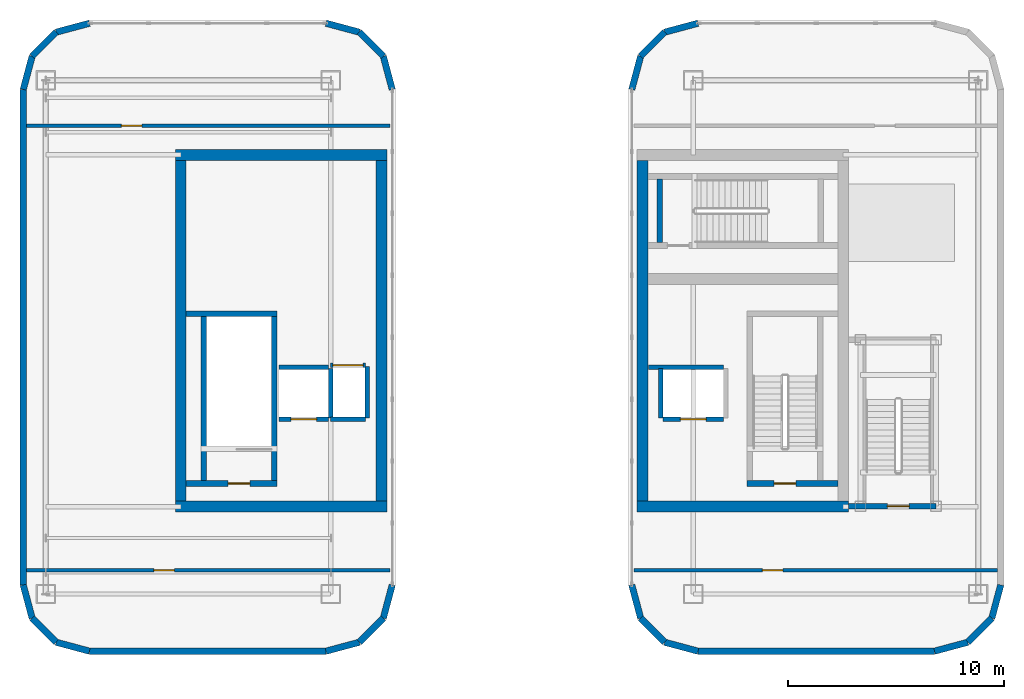
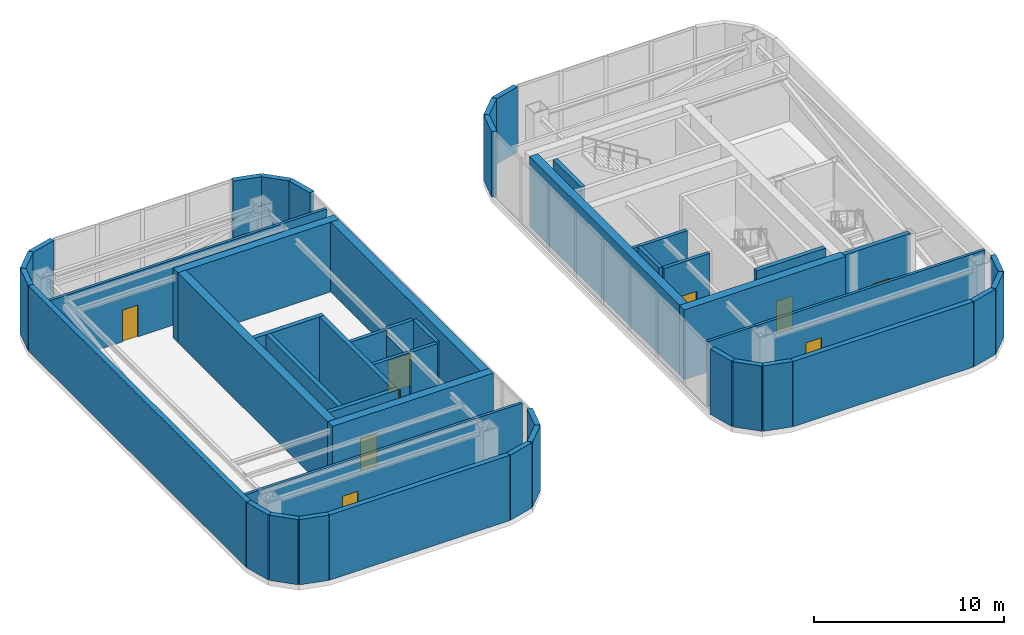
# One storey, part 11 of 13: 49 walls, 9 doors, 9 openings.
"""IFC4 building model written with IfcOpenShell, lengths in metres."""

from ifc_helpers import new_model, si_unit, direction, frame, frame_2d, origin, place, context, subcontext, project, spatial, rectangle, extrude, material, layer, layer_set, type_object, element, fill, save


model = new_model("IFC4")

# Units and contexts
model_context = context("Model", 3, precision=1e-05, world=origin(), true_north=direction((0.0, 1.0)))
body_context = subcontext(model_context, "Body", "Model", "MODEL_VIEW")
ifc_project = project(units=[si_unit("LENGTHUNIT", "METRE"), si_unit("AREAUNIT", "SQUARE_METRE"), si_unit("VOLUMEUNIT", "CUBIC_METRE"), si_unit("PLANEANGLEUNIT", "RADIAN"), si_unit("MASSUNIT", "GRAM", prefix="KILO")], contexts=[model_context])

# Site, building, storey
site_placement = place(None, origin())
site = spatial("IfcSite", under=ifc_project, at=site_placement, CompositionType="ELEMENT")
building_placement = place(site_placement, origin())
building = spatial("IfcBuilding", under=site, at=building_placement, Name="Kiyonajd Concourse Tower", CompositionType="ELEMENT")
storey_placement = place(building_placement, frame((0.0, 0.0, 363.89990234375)))
storey = spatial("IfcBuildingStorey", under=building, at=storey_placement, Name="L91", CompositionType="ELEMENT", Elevation=363.89990234375)

# Walls
ifc_material_1 = material(Name="Concrete C60/75", Category="concrete")
ifc_layer_1 = layer(ifc_material_1, 0.5)
ifc_layer_set_1 = layer_set([ifc_layer_1], Name="Concrete C60/75")
wall_type_1 = type_object("IfcWallType", Name="WL-CORE-500", PredefinedType="SHEAR", material=ifc_layer_set_1)
for number, where, z_axis, x_axis, name in (
    (1, (32.64990234375, 28.10009765625, 0.0), (0.0, 0.0, 1.0), (0.0, 1.0, 0.0), "L91 West Crown Outer Core Wall"),
    (2, (41.949951171875, 28.10009765625, 0.0), (0.0, 0.0, 1.0), (0.0, 1.0, 0.0), "L91 West Crown Inner Core Wall"),
):
    element("IfcWall", number, at=place(storey_placement, frame(where, z_axis=z_axis, x_axis=x_axis)), inside=storey, type_object=wall_type_1, Name=name, PredefinedType="SHEAR", context=body_context, shape_type="SweptSolid", body=[
        extrude(rectangle(XDim=15.7998046875, YDim=0.5, at=frame_2d((7.89990234375, 0.0))), origin(), (0.0, 0.0, 1.0), 4.5),
    ])
for number, where, z_axis, x_axis, name in (
    (3, (32.39990234375, 27.85009765625, 0.0), (0.0, 0.0, 1.0), (1.0, 0.0, 0.0), "L91 West Crown South Core Wall"),
    (4, (32.39990234375, 44.14990234375, 0.0), (0.0, 0.0, 1.0), (1.0, 0.0, 0.0), "L91 West Crown North Core Wall"),
):
    element("IfcWall", number, at=place(storey_placement, frame(where, z_axis=z_axis, x_axis=x_axis)), inside=storey, type_object=wall_type_1, Name=name, PredefinedType="SHEAR", context=body_context, shape_type="SweptSolid", body=[
        extrude(rectangle(XDim=9.800048828125, YDim=0.5, at=frame_2d((4.89990234375, 0.0))), origin(), (0.0, 0.0, 1.0), 4.5),
    ])
wall_1_placement = place(storey_placement, frame((54.050048828125, 28.10009765625, 0.0), z_axis=(0.0, 0.0, 1.0), x_axis=(0.0, 1.0, 0.0)))
element("IfcWall", 5, at=wall_1_placement, inside=storey, type_object=wall_type_1, Name="L91 East Crown Inner Core Wall", PredefinedType="SHEAR", context=body_context, shape_type="SweptSolid", body=[
    extrude(rectangle(XDim=15.7998046875, YDim=0.5, at=frame_2d((7.89990234375, 0.0))), origin(), (0.0, 0.0, 1.0), 4.5),
])
wall_2_placement = place(storey_placement, frame((53.800048828125, 27.85009765625, 0.0), z_axis=(0.0, 0.0, 1.0), x_axis=(1.0, 0.0, 0.0)))
element("IfcWall", 6, at=wall_2_placement, inside=storey, type_object=wall_type_1, Name="L91 East Crown South Core Wall", PredefinedType="SHEAR", context=body_context, shape_type="SweptSolid", body=[
    extrude(rectangle(XDim=9.800048828125, YDim=0.5, at=frame_2d((4.89990234375, 0.0))), origin(), (0.0, 0.0, 1.0), 4.5),
])
ifc_material_2 = material(Name="Precast concrete C50/60", Category="concrete")
ifc_layer_2 = layer(ifc_material_2, 0.300048828125)
ifc_layer_set_2 = layer_set([ifc_layer_2], Name="Precast concrete C50/60")
wall_type_2 = type_object("IfcWallType", Name="WL-CRN-300", PredefinedType="SOLIDWALL", material=ifc_layer_set_2)
wall_3_placement = place(storey_placement, frame((25.35009765625, 24.2197265625, 0.0), z_axis=(0.0, 0.0, 1.0), x_axis=(0.0, 1.0, 0.0)))
element("IfcWall", 7, at=wall_3_placement, inside=storey, type_object=wall_type_2, Name="L91 W Crown Enclosure Wall 01", PredefinedType="SOLIDWALL", context=body_context, shape_type="SweptSolid", body=[
    extrude(rectangle(XDim=22.96044921875, YDim=0.300048828125, at=frame_2d((11.480224609375, 0.0))), origin(), (0.0, 0.0, 1.0), 4.2001953125),
])
wall_4_placement = place(storey_placement, frame((25.35009765625, 47.18017578125, 0.0), z_axis=(0.0, 0.0, 1.0), x_axis=(0.258871110129, 0.965911874003, 0.0)))
element("IfcWall", 8, at=wall_4_placement, inside=storey, type_object=wall_type_2, Name="L91 W Crown Enclosure Wall 02", PredefinedType="SOLIDWALL", context=body_context, shape_type="SweptSolid", body=[
    extrude(rectangle(XDim=1.5966796875, YDim=0.300048828125, at=frame_2d((0.79833984375, 0.0))), origin(), (0.0, 0.0, 1.0), 4.2001953125),
])
wall_5_placement = place(storey_placement, frame((25.763427734375, 48.722412109375, 0.0), z_axis=(0.0, 0.0, 1.0), x_axis=(0.707184251115, 0.707029302769, 0.0)))
element("IfcWall", 9, at=wall_5_placement, inside=storey, type_object=wall_type_2, Name="L91 W Crown Enclosure Wall 03", PredefinedType="SOLIDWALL", context=body_context, shape_type="SweptSolid", body=[
    extrude(rectangle(XDim=1.57568359375, YDim=0.300048828125, at=frame_2d((0.787841796875, 0.0))), origin(), (0.0, 0.0, 1.0), 4.2001953125),
])
for number, where, z_axis, x_axis, name in (
    (10, (26.877685546875, 49.83642578125, 0.0), (0.0, 0.0, 1.0), (0.96587363116, 0.259013761467, 0.0), "L91 W Crown Enclosure Wall 04"),
    (11, (39.380126953125, 50.25, 0.0), (0.0, 0.0, 1.0), (0.96587363116, -0.259013761467, 0.0), "L91 W Crown Enclosure Wall 06"),
):
    element("IfcWall", number, at=place(storey_placement, frame(where, z_axis=z_axis, x_axis=x_axis)), inside=storey, type_object=wall_type_2, Name=name, PredefinedType="SOLIDWALL", context=body_context, shape_type="SweptSolid", body=[
        extrude(rectangle(XDim=1.5966796875, YDim=0.300048828125, at=frame_2d((0.79833984375, 0.0))), origin(), (0.0, 0.0, 1.0), 4.2001953125),
    ])
wall_6_placement = place(storey_placement, frame((40.92236328125, 49.83642578125, 0.0), z_axis=(0.0, 0.0, 1.0), x_axis=(0.707184251115, -0.707029302769, 0.0)))
element("IfcWall", 12, at=wall_6_placement, inside=storey, type_object=wall_type_2, Name="L91 W Crown Enclosure Wall 07", PredefinedType="SOLIDWALL", context=body_context, shape_type="SweptSolid", body=[
    extrude(rectangle(XDim=1.57568359375, YDim=0.300048828125, at=frame_2d((0.787841796875, 0.0))), origin(), (0.0, 0.0, 1.0), 4.2001953125),
])
wall_7_placement = place(storey_placement, frame((42.03662109375, 48.722412109375, 0.0), z_axis=(0.0, 0.0, 1.0), x_axis=(0.258871110129, -0.965911874003, 0.0)))
element("IfcWall", 13, at=wall_7_placement, inside=storey, type_object=wall_type_2, Name="L91 W Crown Enclosure Wall 08", PredefinedType="SOLIDWALL", context=body_context, shape_type="SweptSolid", body=[
    extrude(rectangle(XDim=1.5966796875, YDim=0.300048828125, at=frame_2d((0.79833984375, 0.0))), origin(), (0.0, 0.0, 1.0), 4.2001953125),
])
wall_8_placement = place(storey_placement, frame((42.449951171875, 24.2197265625, 0.0), z_axis=(0.0, 0.0, 1.0), x_axis=(-0.258909349397, -0.965901624802, 0.0)))
element("IfcWall", 14, at=wall_8_placement, inside=storey, type_object=wall_type_2, Name="L91 W Crown Enclosure Wall 10", PredefinedType="SOLIDWALL", context=body_context, shape_type="SweptSolid", body=[
    extrude(rectangle(XDim=1.596435546875, YDim=0.300048828125, at=frame_2d((0.79833984375, 0.0))), origin(), (0.0, 0.0, 1.0), 4.2001953125),
])
wall_9_placement = place(storey_placement, frame((42.03662109375, 22.677734375, 0.0), z_axis=(0.0, 0.0, 1.0), x_axis=(-0.707106781187, -0.707106781187, 0.0)))
element("IfcWall", 15, at=wall_9_placement, inside=storey, type_object=wall_type_2, Name="L91 W Crown Enclosure Wall 11", PredefinedType="SOLIDWALL", context=body_context, shape_type="SweptSolid", body=[
    extrude(rectangle(XDim=1.57568359375, YDim=0.300048828125, at=frame_2d((0.787841796875, 0.0))), origin(), (0.0, 0.0, 1.0), 4.2001953125),
])
wall_10_placement = place(storey_placement, frame((40.92236328125, 21.5634765625, 0.0), z_axis=(0.0, 0.0, 1.0), x_axis=(-0.96587363116, -0.259013761467, 0.0)))
element("IfcWall", 16, at=wall_10_placement, inside=storey, type_object=wall_type_2, Name="L91 W Crown Enclosure Wall 12", PredefinedType="SOLIDWALL", context=body_context, shape_type="SweptSolid", body=[
    extrude(rectangle(XDim=1.5966796875, YDim=0.300048828125, at=frame_2d((0.79833984375, 0.0))), origin(), (0.0, 0.0, 1.0), 4.2001953125),
])
wall_11_placement = place(storey_placement, frame((39.380126953125, 21.14990234375, 0.0), z_axis=(0.0, 0.0, 1.0), x_axis=(-1.0, 0.0, 0.0)))
element("IfcWall", 17, at=wall_11_placement, inside=storey, type_object=wall_type_2, Name="L91 W Crown Enclosure Wall 13", PredefinedType="SOLIDWALL", context=body_context, shape_type="SweptSolid", body=[
    extrude(rectangle(XDim=10.960205078125, YDim=0.300048828125, at=frame_2d((5.47998046875, 0.0))), origin(), (0.0, 0.0, 1.0), 4.2001953125),
])
wall_12_placement = place(storey_placement, frame((28.419921875, 21.14990234375, 0.0), z_axis=(0.0, 0.0, 1.0), x_axis=(-0.96587363116, 0.259013761467, 0.0)))
element("IfcWall", 18, at=wall_12_placement, inside=storey, type_object=wall_type_2, Name="L91 W Crown Enclosure Wall 14", PredefinedType="SOLIDWALL", context=body_context, shape_type="SweptSolid", body=[
    extrude(rectangle(XDim=1.5966796875, YDim=0.300048828125, at=frame_2d((0.79833984375, 0.0))), origin(), (0.0, 0.0, 1.0), 4.2001953125),
])
wall_13_placement = place(storey_placement, frame((26.877685546875, 21.5634765625, 0.0), z_axis=(0.0, 0.0, 1.0), x_axis=(-0.707106781187, 0.707106781187, 0.0)))
element("IfcWall", 19, at=wall_13_placement, inside=storey, type_object=wall_type_2, Name="L91 W Crown Enclosure Wall 15", PredefinedType="SOLIDWALL", context=body_context, shape_type="SweptSolid", body=[
    extrude(rectangle(XDim=1.57568359375, YDim=0.300048828125, at=frame_2d((0.787841796875, 0.0))), origin(), (0.0, 0.0, 1.0), 4.2001953125),
])
wall_14_placement = place(storey_placement, frame((25.763427734375, 22.677734375, 0.0), z_axis=(0.0, 0.0, 1.0), x_axis=(-0.258909349397, 0.965901624802, 0.0)))
element("IfcWall", 20, at=wall_14_placement, inside=storey, type_object=wall_type_2, Name="L91 W Crown Enclosure Wall 16", PredefinedType="SOLIDWALL", context=body_context, shape_type="SweptSolid", body=[
    extrude(rectangle(XDim=1.596435546875, YDim=0.300048828125, at=frame_2d((0.79833984375, 0.0))), origin(), (0.0, 0.0, 1.0), 4.2001953125),
])
wall_15_placement = place(storey_placement, frame((53.550048828125, 47.18017578125, 0.0), z_axis=(0.0, 0.0, 1.0), x_axis=(0.258871110129, 0.965911874003, 0.0)))
element("IfcWall", 21, at=wall_15_placement, inside=storey, type_object=wall_type_2, Name="L91 E Crown Enclosure Wall 02", PredefinedType="SOLIDWALL", context=body_context, shape_type="SweptSolid", body=[
    extrude(rectangle(XDim=1.5966796875, YDim=0.300048828125, at=frame_2d((0.79833984375, 0.0))), origin(), (0.0, 0.0, 1.0), 4.2001953125),
])
wall_16_placement = place(storey_placement, frame((53.96337890625, 48.722412109375, 0.0), z_axis=(0.0, 0.0, 1.0), x_axis=(0.707184251115, 0.707029302769, 0.0)))
element("IfcWall", 22, at=wall_16_placement, inside=storey, type_object=wall_type_2, Name="L91 E Crown Enclosure Wall 03", PredefinedType="SOLIDWALL", context=body_context, shape_type="SweptSolid", body=[
    extrude(rectangle(XDim=1.57568359375, YDim=0.300048828125, at=frame_2d((0.787841796875, 0.0))), origin(), (0.0, 0.0, 1.0), 4.2001953125),
])
wall_17_placement = place(storey_placement, frame((55.07763671875, 49.83642578125, 0.0), z_axis=(0.0, 0.0, 1.0), x_axis=(0.96587363116, 0.259013761467, 0.0)))
element("IfcWall", 23, at=wall_17_placement, inside=storey, type_object=wall_type_2, Name="L91 E Crown Enclosure Wall 04", PredefinedType="SOLIDWALL", context=body_context, shape_type="SweptSolid", body=[
    extrude(rectangle(XDim=1.5966796875, YDim=0.300048828125, at=frame_2d((0.79833984375, 0.0))), origin(), (0.0, 0.0, 1.0), 4.2001953125),
])
wall_18_placement = place(storey_placement, frame((70.64990234375, 24.2197265625, 0.0), z_axis=(0.0, 0.0, 1.0), x_axis=(-0.258909349397, -0.965901624802, 0.0)))
element("IfcWall", 24, at=wall_18_placement, inside=storey, type_object=wall_type_2, Name="L91 E Crown Enclosure Wall 10", PredefinedType="SOLIDWALL", context=body_context, shape_type="SweptSolid", body=[
    extrude(rectangle(XDim=1.596435546875, YDim=0.300048828125, at=frame_2d((0.79833984375, 0.0))), origin(), (0.0, 0.0, 1.0), 4.2001953125),
])
wall_19_placement = place(storey_placement, frame((70.236572265625, 22.677734375, 0.0), z_axis=(0.0, 0.0, 1.0), x_axis=(-0.707106781187, -0.707106781187, 0.0)))
element("IfcWall", 25, at=wall_19_placement, inside=storey, type_object=wall_type_2, Name="L91 E Crown Enclosure Wall 11", PredefinedType="SOLIDWALL", context=body_context, shape_type="SweptSolid", body=[
    extrude(rectangle(XDim=1.57568359375, YDim=0.300048828125, at=frame_2d((0.787841796875, 0.0))), origin(), (0.0, 0.0, 1.0), 4.2001953125),
])
wall_20_placement = place(storey_placement, frame((69.122314453125, 21.5634765625, 0.0), z_axis=(0.0, 0.0, 1.0), x_axis=(-0.96587363116, -0.259013761467, 0.0)))
element("IfcWall", 26, at=wall_20_placement, inside=storey, type_object=wall_type_2, Name="L91 E Crown Enclosure Wall 12", PredefinedType="SOLIDWALL", context=body_context, shape_type="SweptSolid", body=[
    extrude(rectangle(XDim=1.5966796875, YDim=0.300048828125, at=frame_2d((0.79833984375, 0.0))), origin(), (0.0, 0.0, 1.0), 4.2001953125),
])
wall_21_placement = place(storey_placement, frame((67.580078125, 21.14990234375, 0.0), z_axis=(0.0, 0.0, 1.0), x_axis=(-1.0, 0.0, 0.0)))
element("IfcWall", 27, at=wall_21_placement, inside=storey, type_object=wall_type_2, Name="L91 E Crown Enclosure Wall 13", PredefinedType="SOLIDWALL", context=body_context, shape_type="SweptSolid", body=[
    extrude(rectangle(XDim=10.960205078125, YDim=0.300048828125, at=frame_2d((5.47998046875, 0.0))), origin(), (0.0, 0.0, 1.0), 4.2001953125),
])
wall_22_placement = place(storey_placement, frame((56.619873046875, 21.14990234375, 0.0), z_axis=(0.0, 0.0, 1.0), x_axis=(-0.96587363116, 0.259013761467, 0.0)))
element("IfcWall", 28, at=wall_22_placement, inside=storey, type_object=wall_type_2, Name="L91 E Crown Enclosure Wall 14", PredefinedType="SOLIDWALL", context=body_context, shape_type="SweptSolid", body=[
    extrude(rectangle(XDim=1.5966796875, YDim=0.300048828125, at=frame_2d((0.79833984375, 0.0))), origin(), (0.0, 0.0, 1.0), 4.2001953125),
])
wall_23_placement = place(storey_placement, frame((55.07763671875, 21.5634765625, 0.0), z_axis=(0.0, 0.0, 1.0), x_axis=(-0.707106781187, 0.707106781187, 0.0)))
element("IfcWall", 29, at=wall_23_placement, inside=storey, type_object=wall_type_2, Name="L91 E Crown Enclosure Wall 15", PredefinedType="SOLIDWALL", context=body_context, shape_type="SweptSolid", body=[
    extrude(rectangle(XDim=1.57568359375, YDim=0.300048828125, at=frame_2d((0.787841796875, 0.0))), origin(), (0.0, 0.0, 1.0), 4.2001953125),
])
wall_24_placement = place(storey_placement, frame((53.96337890625, 22.677734375, 0.0), z_axis=(0.0, 0.0, 1.0), x_axis=(-0.258909349397, 0.965901624802, 0.0)))
element("IfcWall", 30, at=wall_24_placement, inside=storey, type_object=wall_type_2, Name="L91 E Crown Enclosure Wall 16", PredefinedType="SOLIDWALL", context=body_context, shape_type="SweptSolid", body=[
    extrude(rectangle(XDim=1.596435546875, YDim=0.300048828125, at=frame_2d((0.79833984375, 0.0))), origin(), (0.0, 0.0, 1.0), 4.2001953125),
])

# Wall, opening, door
ifc_material_3 = material(Name="Gypsum Board on Cold-Formed Steel Stud", Category="steel")
ifc_layer_3 = layer(ifc_material_3, 0.2099609375)
ifc_layer_set_3 = layer_set([ifc_layer_3], Name="Gypsum Board on Cold-Formed Steel Stud")
wall_type_3 = type_object("IfcWallType", Name="WL-SHAFT-210", PredefinedType="PARTITIONING", material=ifc_layer_set_3)
wall_25_placement = place(storey_placement, frame((37.199951171875, 31.89990234375, 0.0), z_axis=(0.0, 0.0, 1.0), x_axis=(1.0, 0.0, 0.0)))
wall_25 = element("IfcWall", 31, at=wall_25_placement, inside=storey, type_object=wall_type_3, Name="L91 Shaft Enclosure Wall", PredefinedType="PARTITIONING", context=body_context, shape_type="SweptSolid", body=[
    extrude(rectangle(XDim=2.300048828125, YDim=0.2099609375, at=frame_2d((1.14990234375, 0.0))), origin(), (0.0, 0.0, 1.0), 4.2001953125),
])
opening_1_placement = place(wall_25_placement, frame((0.550048828125, 0.0, 0.0)))
opening_1 = element("IfcOpeningElement", 32, at=opening_1_placement, cuts=wall_25, Name="Opening LD2", PredefinedType="OPENING", context=body_context, shape_type="SweptSolid", body=[
    extrude(rectangle(XDim=1.199951171875, YDim=2.0400390625, at=frame_2d((0.60009765625, 1.02001953125))), frame((0.0, 0.114990234375, 0.0), z_axis=(0.0, -1.0, 0.0), x_axis=(1.0, 0.0, 0.0)), (0.0, 0.0, 1.0), 0.22998046875),
])
ifc_material_4 = material(Name="Brushed Stainless Steel Cab Assembly", Category="steel")
door_type_1 = type_object("IfcDoorType", Name="DR-LD-1200", OperationType="DOUBLE_DOOR_SLIDING", PredefinedType="DOOR", material=ifc_material_4)
door_1_placement = place(opening_1_placement, origin())
door_1 = element("IfcDoor", 33, at=door_1_placement, inside=storey, type_object=door_type_1, Name="L91 Lift FFL1 Sliding Landing Door", OperationType="DOUBLE_DOOR_SLIDING", OverallHeight=2.0400390625, OverallWidth=1.199951171875, PredefinedType="DOOR", context=body_context, shape_type="SweptSolid", body=[
    extrude(rectangle(XDim=1.199951171875, YDim=2.0400390625, at=frame_2d((0.60009765625, 1.02001953125))), frame((0.0, 0.02490234375, 0.0), z_axis=(0.0, -1.0, 0.0), x_axis=(1.0, 0.0, 0.0)), (0.0, 0.0, 1.0), 0.050048828125),
])
fill(opening_1, door_1)

# Walls
wall_26_placement = place(storey_placement, frame((37.199951171875, 34.300048828125, 0.0), z_axis=(0.0, 0.0, 1.0), x_axis=(1.0, 0.0, 0.0)))
element("IfcWall", 34, at=wall_26_placement, inside=storey, type_object=wall_type_3, Name="L91 Shaft Enclosure Wall", PredefinedType="PARTITIONING", context=body_context, shape_type="SweptSolid", body=[
    extrude(rectangle(XDim=2.300048828125, YDim=0.2099609375, at=frame_2d((1.14990234375, 0.0))), origin(), (0.0, 0.0, 1.0), 4.2001953125),
])
wall_27_placement = place(storey_placement, frame((39.60009765625, 31.9599609375, 0.0), z_axis=(0.0, 0.0, 1.0), x_axis=(0.0, 1.0, 0.0)))
element("IfcWall", 35, at=wall_27_placement, inside=storey, type_object=wall_type_3, Name="L91 Shaft Enclosure Wall", PredefinedType="PARTITIONING", context=body_context, shape_type="SweptSolid", body=[
    extrude(rectangle(XDim=2.280029296875, YDim=0.2099609375, at=frame_2d((1.14013671875, 0.0))), origin(), (0.0, 0.0, 1.0), 3.879150390625),
])

# Wall, opening, door
wall_28_placement = place(storey_placement, frame((55.0, 31.89990234375, 0.0), z_axis=(0.0, 0.0, 1.0), x_axis=(1.0, 0.0, 0.0)))
wall_28 = element("IfcWall", 36, at=wall_28_placement, inside=storey, type_object=wall_type_3, Name="L91 Shaft Enclosure Wall", PredefinedType="PARTITIONING", context=body_context, shape_type="SweptSolid", body=[
    extrude(rectangle(XDim=2.800048828125, YDim=0.2099609375, at=frame_2d((1.39990234375, 0.0))), origin(), (0.0, 0.0, 1.0), 4.2001953125),
])
opening_2_placement = place(wall_28_placement, frame((0.800048828125, 0.0, 0.0)))
opening_2 = element("IfcOpeningElement", 37, at=opening_2_placement, cuts=wall_28, Name="Opening LD2", PredefinedType="OPENING", context=body_context, shape_type="SweptSolid", body=[
    extrude(rectangle(XDim=1.199951171875, YDim=2.0400390625, at=frame_2d((0.60009765625, 1.02001953125))), frame((0.0, 0.114990234375, 0.0), z_axis=(0.0, -1.0, 0.0), x_axis=(1.0, 0.0, 0.0)), (0.0, 0.0, 1.0), 0.22998046875),
])
door_2_placement = place(opening_2_placement, origin())
door_2 = element("IfcDoor", 38, at=door_2_placement, inside=storey, type_object=door_type_1, Name="L91 Lift FFL2 Sliding Landing Door", OperationType="DOUBLE_DOOR_SLIDING", OverallHeight=2.0400390625, OverallWidth=1.199951171875, PredefinedType="DOOR", context=body_context, shape_type="SweptSolid", body=[
    extrude(rectangle(XDim=1.199951171875, YDim=2.0400390625, at=frame_2d((0.60009765625, 1.02001953125))), frame((0.0, 0.02490234375, 0.0), z_axis=(0.0, -1.0, 0.0), x_axis=(1.0, 0.0, 0.0)), (0.0, 0.0, 1.0), 0.050048828125),
])
fill(opening_2, door_2)

# Walls
wall_29_placement = place(storey_placement, frame((54.320068359375, 34.300048828125, 0.0), z_axis=(0.0, 0.0, 1.0), x_axis=(1.0, 0.0, 0.0)))
element("IfcWall", 39, at=wall_29_placement, inside=storey, type_object=wall_type_3, Name="L91 Shaft Enclosure Wall", PredefinedType="PARTITIONING", context=body_context, shape_type="SweptSolid", body=[
    extrude(rectangle(XDim=3.47998046875, YDim=0.2099609375, at=frame_2d((1.739990234375, 0.0))), origin(), (0.0, 0.0, 1.0), 4.2001953125),
])
wall_30_placement = place(storey_placement, frame((54.89990234375, 31.9599609375, 0.0), z_axis=(0.0, 0.0, 1.0), x_axis=(0.0, 1.0, 0.0)))
element("IfcWall", 40, at=wall_30_placement, inside=storey, type_object=wall_type_3, Name="L91 Shaft Enclosure Wall", PredefinedType="PARTITIONING", context=body_context, shape_type="SweptSolid", body=[
    extrude(rectangle(XDim=2.280029296875, YDim=0.2099609375, at=frame_2d((1.14013671875, 0.0))), origin(), (0.0, 0.0, 1.0), 4.2001953125),
])

# Wall, opening, door
wall_31_placement = place(storey_placement, frame((39.60009765625, 34.39990234375, 0.0), z_axis=(0.0, 0.0, 1.0), x_axis=(1.0, 0.0, 0.0)))
wall_31 = element("IfcWall", 41, at=wall_31_placement, inside=storey, type_object=wall_type_3, Name="L91 Shaft Enclosure Wall", PredefinedType="PARTITIONING", context=body_context, shape_type="SweptSolid", body=[
    extrude(rectangle(XDim=1.599853515625, YDim=0.2099609375, at=frame_2d((0.7998046875, 0.0))), origin(), (0.0, 0.0, 1.0), 4.2001953125),
])
opening_3_placement = place(wall_31_placement, frame((0.10009765625, 0.0, 0.0)))
opening_3 = element("IfcOpeningElement", 42, at=opening_3_placement, cuts=wall_31, Name="Opening LD3", PredefinedType="OPENING", context=body_context, shape_type="SweptSolid", body=[
    extrude(rectangle(XDim=1.39990234375, YDim=2.06005859375, at=frame_2d((0.699951171875, 1.030029296875))), frame((0.0, 0.114990234375, 0.0), z_axis=(0.0, -1.0, 0.0), x_axis=(1.0, 0.0, 0.0)), (0.0, 0.0, 1.0), 0.22998046875),
])
door_type_2 = type_object("IfcDoorType", Name="DR-LD-1400", OperationType="DOUBLE_DOOR_SLIDING", PredefinedType="DOOR", material=ifc_material_4)
door_3_placement = place(opening_3_placement, origin())
door_3 = element("IfcDoor", 43, at=door_3_placement, inside=storey, type_object=door_type_2, Name="L91 Lift SVL1 Sliding Landing Door", OperationType="DOUBLE_DOOR_SLIDING", OverallHeight=2.06005859375, OverallWidth=1.39990234375, PredefinedType="DOOR", context=body_context, shape_type="SweptSolid", body=[
    extrude(rectangle(XDim=1.39990234375, YDim=2.06005859375, at=frame_2d((0.699951171875, 1.030029296875))), frame((0.0, 0.02490234375, 0.0), z_axis=(0.0, -1.0, 0.0), x_axis=(1.0, 0.0, 0.0)), (0.0, 0.0, 1.0), 0.050048828125),
])
fill(opening_3, door_3)

# Walls
wall_32_placement = place(storey_placement, frame((39.60009765625, 31.89990234375, 0.0), z_axis=(0.0, 0.0, 1.0), x_axis=(1.0, 0.0, 0.0)))
element("IfcWall", 44, at=wall_32_placement, inside=storey, type_object=wall_type_3, Name="L91 Shaft Enclosure Wall", PredefinedType="PARTITIONING", context=body_context, shape_type="SweptSolid", body=[
    extrude(rectangle(XDim=1.599853515625, YDim=0.2099609375, at=frame_2d((0.7998046875, 0.0))), origin(), (0.0, 0.0, 1.0), 4.2001953125),
])
wall_33_placement = place(storey_placement, frame((41.300048828125, 31.9599609375, 0.0), z_axis=(0.0, 0.0, 1.0), x_axis=(0.0, 1.0, 0.0)))
element("IfcWall", 45, at=wall_33_placement, inside=storey, type_object=wall_type_3, Name="L91 Shaft Enclosure Wall", PredefinedType="PARTITIONING", context=body_context, shape_type="SweptSolid", body=[
    extrude(rectangle(XDim=2.380126953125, YDim=0.2099609375, at=frame_2d((1.18994140625, 0.0))), origin(), (0.0, 0.0, 1.0), 4.2001953125),
])

# Wall, opening, door
ifc_layer_4 = layer(ifc_material_3, 0.169921875)
ifc_layer_set_4 = layer_set([ifc_layer_4], Name="Gypsum Board on Cold-Formed Steel Stud")
wall_type_4 = type_object("IfcWallType", Name="WL-SMK-170", PredefinedType="PARTITIONING", material=ifc_layer_set_4)
wall_34_placement = place(storey_placement, frame((25.4951171875, 24.89990234375, 0.0), z_axis=(0.0, 0.0, 1.0), x_axis=(1.0, 0.0, 0.0)))
wall_34 = element("IfcWall", 46, at=wall_34_placement, inside=storey, type_object=wall_type_4, Name="L91 Interior Partition Wall", PredefinedType="PARTITIONING", context=body_context, shape_type="SweptSolid", body=[
    extrude(rectangle(XDim=16.849853515625, YDim=0.169921875, at=frame_2d((8.4248046875, 0.0))), origin(), (0.0, 0.0, 1.0), 4.2001953125),
])
opening_4_placement = place(wall_34_placement, frame((5.905029296875, 0.0, 0.0)))
opening_4 = element("IfcOpeningElement", 47, at=opening_4_placement, cuts=wall_34, Name="Opening DF3", PredefinedType="OPENING", context=body_context, shape_type="SweptSolid", body=[
    extrude(rectangle(XDim=0.949951171875, YDim=2.0400390625, at=frame_2d((0.47509765625, 1.02001953125))), frame((0.0, 0.094970703125, 0.0), z_axis=(0.0, -1.0, 0.0), x_axis=(1.0, 0.0, 0.0)), (0.0, 0.0, 1.0), 0.18994140625),
])
door_type_3 = type_object("IfcDoorType", Name="DR-FD60-950", OperationType="NOTDEFINED", PredefinedType="DOOR", material=ifc_material_4)
door_4_placement = place(opening_4_placement, origin())
door_4 = element("IfcDoor", 48, at=door_4_placement, inside=storey, type_object=door_type_3, Name="L91 Interior Door", OperationType="SINGLE_SWING_RIGHT", OverallHeight=2.0400390625, OverallWidth=0.949951171875, PredefinedType="DOOR", context=body_context, shape_type="SweptSolid", body=[
    extrude(rectangle(XDim=0.949951171875, YDim=2.0400390625, at=frame_2d((0.47509765625, 1.02001953125))), frame((0.0, 0.02490234375, 0.0), z_axis=(0.0, -1.0, 0.0), x_axis=(1.0, 0.0, 0.0)), (0.0, 0.0, 1.0), 0.050048828125),
])
fill(opening_4, door_4)

wall_35_placement = place(storey_placement, frame((25.4951171875, 45.5, 0.0), z_axis=(0.0, 0.0, 1.0), x_axis=(1.0, 0.0, 0.0)))
wall_35 = element("IfcWall", 49, at=wall_35_placement, inside=storey, type_object=wall_type_4, Name="L91 Interior Partition Wall", PredefinedType="PARTITIONING", context=body_context, shape_type="SweptSolid", body=[
    extrude(rectangle(XDim=16.849853515625, YDim=0.169921875, at=frame_2d((8.4248046875, 0.0))), origin(), (0.0, 0.0, 1.0), 4.2001953125),
])
opening_5_placement = place(wall_35_placement, frame((4.405029296875, 0.0, 0.0)))
opening_5 = element("IfcOpeningElement", 50, at=opening_5_placement, cuts=wall_35, Name="Opening DF3", PredefinedType="OPENING", context=body_context, shape_type="SweptSolid", body=[
    extrude(rectangle(XDim=0.949951171875, YDim=2.0400390625, at=frame_2d((0.47509765625, 1.02001953125))), frame((0.0, 0.094970703125, 0.0), z_axis=(0.0, -1.0, 0.0), x_axis=(1.0, 0.0, 0.0)), (0.0, 0.0, 1.0), 0.18994140625),
])
door_5_placement = place(opening_5_placement, origin())
door_5 = element("IfcDoor", 51, at=door_5_placement, inside=storey, type_object=door_type_3, Name="L91 Interior Door", OperationType="SINGLE_SWING_LEFT", OverallHeight=2.0400390625, OverallWidth=0.949951171875, PredefinedType="DOOR", context=body_context, shape_type="SweptSolid", body=[
    extrude(rectangle(XDim=0.949951171875, YDim=2.0400390625, at=frame_2d((0.47509765625, 1.02001953125))), frame((0.0, 0.02490234375, 0.0), z_axis=(0.0, -1.0, 0.0), x_axis=(1.0, 0.0, 0.0)), (0.0, 0.0, 1.0), 0.050048828125),
])
fill(opening_5, door_5)

wall_36_placement = place(storey_placement, frame((53.655029296875, 24.89990234375, 0.0), z_axis=(0.0, 0.0, 1.0), x_axis=(1.0, 0.0, 0.0)))
wall_36 = element("IfcWall", 52, at=wall_36_placement, inside=storey, type_object=wall_type_4, Name="L91 Interior Partition Wall", PredefinedType="PARTITIONING", context=body_context, shape_type="SweptSolid", body=[
    extrude(rectangle(XDim=16.849853515625, YDim=0.169921875, at=frame_2d((8.4248046875, 0.0))), origin(), (0.0, 0.0, 1.0), 4.2001953125),
])
opening_6_placement = place(wall_36_placement, frame((5.945068359375, 0.0, 0.0)))
opening_6 = element("IfcOpeningElement", 53, at=opening_6_placement, cuts=wall_36, Name="Opening DF3", PredefinedType="OPENING", context=body_context, shape_type="SweptSolid", body=[
    extrude(rectangle(XDim=0.949951171875, YDim=2.0400390625, at=frame_2d((0.47509765625, 1.02001953125))), frame((0.0, 0.094970703125, 0.0), z_axis=(0.0, -1.0, 0.0), x_axis=(1.0, 0.0, 0.0)), (0.0, 0.0, 1.0), 0.18994140625),
])
door_6_placement = place(opening_6_placement, origin())
door_6 = element("IfcDoor", 54, at=door_6_placement, inside=storey, type_object=door_type_3, Name="L91 Interior Door", OperationType="SINGLE_SWING_RIGHT", OverallHeight=2.0400390625, OverallWidth=0.949951171875, PredefinedType="DOOR", context=body_context, shape_type="SweptSolid", body=[
    extrude(rectangle(XDim=0.949951171875, YDim=2.0400390625, at=frame_2d((0.47509765625, 1.02001953125))), frame((0.0, 0.02490234375, 0.0), z_axis=(0.0, -1.0, 0.0), x_axis=(1.0, 0.0, 0.0)), (0.0, 0.0, 1.0), 0.050048828125),
])
fill(opening_6, door_6)

ifc_material_5 = material(Name="Concrete C50/60", Category="concrete")
ifc_layer_5 = layer(ifc_material_5, 0.260009765625)
ifc_layer_set_5 = layer_set([ifc_layer_5], Name="Concrete C50/60")
wall_type_5 = type_object("IfcWallType", Name="WL-STAIR-260", PredefinedType="SHEAR", material=ifc_layer_set_5)
wall_37_placement = place(storey_placement, frame((32.89990234375, 28.919921875, 0.0), z_axis=(0.0, 0.0, 1.0), x_axis=(1.0, 0.0, 0.0)))
wall_37 = element("IfcWall", 55, at=wall_37_placement, inside=storey, type_object=wall_type_5, Name="L91 Stair ST1 Structural South Wall", PredefinedType="SHEAR", context=body_context, shape_type="SweptSolid", body=[
    extrude(rectangle(XDim=4.210205078125, YDim=0.260009765625, at=frame_2d((2.10498046875, 0.0))), origin(), (0.0, 0.0, 1.0), 4.5),
])
opening_7_placement = place(wall_37_placement, frame((1.949951171875, 0.0, 0.0)))
opening_7 = element("IfcOpeningElement", 56, at=opening_7_placement, cuts=wall_37, Name="Opening DF1", PredefinedType="OPENING", context=body_context, shape_type="SweptSolid", body=[
    extrude(rectangle(XDim=1.0, YDim=2.0400390625, at=frame_2d((0.5, 1.02001953125))), frame((0.0, 0.139892578125, 0.0), z_axis=(0.0, -1.0, 0.0), x_axis=(1.0, 0.0, 0.0)), (0.0, 0.0, 1.0), 0.280029296875),
])
door_type_4 = type_object("IfcDoorType", Name="DR-FD90-1000", OperationType="NOTDEFINED", PredefinedType="DOOR", material=ifc_material_4)
door_7_placement = place(opening_7_placement, origin())
door_7 = element("IfcDoor", 57, at=door_7_placement, inside=storey, type_object=door_type_4, Name="L91 Stair ST1 Enclosure Door", OperationType="SINGLE_SWING_RIGHT", OverallHeight=2.0400390625, OverallWidth=1.0, PredefinedType="DOOR", context=body_context, shape_type="SweptSolid", body=[
    extrude(rectangle(XDim=1.0, YDim=2.0400390625, at=frame_2d((0.5, 1.02001953125))), frame((0.0, 0.02490234375, 0.0), z_axis=(0.0, -1.0, 0.0), x_axis=(1.0, 0.0, 0.0)), (0.0, 0.0, 1.0), 0.050048828125),
])
fill(opening_7, door_7)

# Walls
wall_38_placement = place(storey_placement, frame((32.89990234375, 36.780029296875, 0.0), z_axis=(0.0, 0.0, 1.0), x_axis=(1.0, 0.0, 0.0)))
element("IfcWall", 58, at=wall_38_placement, inside=storey, type_object=wall_type_5, Name="L91 Stair ST1 Structural North Wall", PredefinedType="SHEAR", context=body_context, shape_type="SweptSolid", body=[
    extrude(rectangle(XDim=4.210205078125, YDim=0.260009765625, at=frame_2d((2.10498046875, 0.0))), origin(), (0.0, 0.0, 1.0), 4.5),
])
for number, where, z_axis, x_axis, name in (
    (59, (33.719970703125, 29.050048828125, 0.0), (0.0, 0.0, 1.0), (0.0, 1.0, 0.0), "L91 Stair ST1 Structural West Wall"),
    (60, (36.97998046875, 29.050048828125, 0.0), (0.0, 0.0, 1.0), (0.0, 1.0, 0.0), "L91 Stair ST1 Structural East Wall"),
):
    element("IfcWall", number, at=place(storey_placement, frame(where, z_axis=z_axis, x_axis=x_axis)), inside=storey, type_object=wall_type_5, Name=name, PredefinedType="SHEAR", context=body_context, shape_type="SweptSolid", body=[
        extrude(rectangle(XDim=7.599853515625, YDim=0.260009765625, at=frame_2d((3.7998046875, 0.0))), origin(), (0.0, 0.0, 1.0), 4.5),
    ])

# Wall, opening, door
wall_39_placement = place(storey_placement, frame((58.889892578125, 28.919921875, 0.0), z_axis=(0.0, 0.0, 1.0), x_axis=(1.0, 0.0, 0.0)))
wall_39 = element("IfcWall", 61, at=wall_39_placement, inside=storey, type_object=wall_type_5, Name="L91 Stair ST2 Structural South Wall", PredefinedType="SHEAR", context=body_context, shape_type="SweptSolid", body=[
    extrude(rectangle(XDim=4.210205078125, YDim=0.260009765625, at=frame_2d((2.10498046875, 0.0))), origin(), (0.0, 0.0, 1.0), 4.5),
])
opening_8_placement = place(wall_39_placement, frame((1.260009765625, 0.0, 0.0)))
opening_8 = element("IfcOpeningElement", 62, at=opening_8_placement, cuts=wall_39, Name="Opening DF1", PredefinedType="OPENING", context=body_context, shape_type="SweptSolid", body=[
    extrude(rectangle(XDim=1.0, YDim=2.0400390625, at=frame_2d((0.5, 1.02001953125))), frame((0.0, 0.139892578125, 0.0), z_axis=(0.0, -1.0, 0.0), x_axis=(1.0, 0.0, 0.0)), (0.0, 0.0, 1.0), 0.280029296875),
])
door_8_placement = place(opening_8_placement, origin())
door_8 = element("IfcDoor", 63, at=door_8_placement, inside=storey, type_object=door_type_4, Name="L91 Stair ST2 Enclosure Door", OperationType="SINGLE_SWING_RIGHT", OverallHeight=2.0400390625, OverallWidth=1.0, PredefinedType="DOOR", context=body_context, shape_type="SweptSolid", body=[
    extrude(rectangle(XDim=1.0, YDim=2.0400390625, at=frame_2d((0.5, 1.02001953125))), frame((0.0, 0.02490234375, 0.0), z_axis=(0.0, -1.0, 0.0), x_axis=(1.0, 0.0, 0.0)), (0.0, 0.0, 1.0), 0.050048828125),
])
fill(opening_8, door_8)

# Wall
wall_40_placement = place(storey_placement, frame((54.85009765625, 40.080078125, 0.0), z_axis=(0.0, 0.0, 1.0), x_axis=(0.0, 1.0, 0.0)))
element("IfcWall", 64, at=wall_40_placement, inside=storey, type_object=wall_type_5, Name="L91 Stair ST3 Structural West Wall", PredefinedType="SHEAR", context=body_context, shape_type="SweptSolid", body=[
    extrude(rectangle(XDim=2.93994140625, YDim=0.260009765625, at=frame_2d((1.469970703125, 0.0))), origin(), (0.0, 0.0, 1.0), 4.5),
])

# Wall, opening, door
wall_41_placement = place(storey_placement, frame((63.60009765625, 27.8701171875, 0.0), z_axis=(0.0, 0.0, 1.0), x_axis=(1.0, 0.0, 0.0)))
wall_41 = element("IfcWall", 65, at=wall_41_placement, inside=storey, type_object=wall_type_5, Name="L91 Stair ST6 Structural South Wall", PredefinedType="SHEAR", context=body_context, shape_type="SweptSolid", body=[
    extrude(rectangle(XDim=4.059814453125, YDim=0.260009765625, at=frame_2d((2.02978515625, 0.0))), origin(), (0.0, 0.0, 1.0), 4.5),
])
opening_9_placement = place(wall_41_placement, frame((1.800048828125, 0.0, 0.0)))
opening_9 = element("IfcOpeningElement", 66, at=opening_9_placement, cuts=wall_41, Name="Opening DF1", PredefinedType="OPENING", context=body_context, shape_type="SweptSolid", body=[
    extrude(rectangle(XDim=1.0, YDim=2.0400390625, at=frame_2d((0.5, 1.02001953125))), frame((0.0, 0.139892578125, 0.0), z_axis=(0.0, -1.0, 0.0), x_axis=(1.0, 0.0, 0.0)), (0.0, 0.0, 1.0), 0.280029296875),
])
door_9_placement = place(opening_9_placement, origin())
door_9 = element("IfcDoor", 67, at=door_9_placement, inside=storey, type_object=door_type_4, Name="L91 Stair ST6 Enclosure Door", OperationType="SINGLE_SWING_RIGHT", OverallHeight=2.0400390625, OverallWidth=1.0, PredefinedType="DOOR", context=body_context, shape_type="SweptSolid", body=[
    extrude(rectangle(XDim=1.0, YDim=2.0400390625, at=frame_2d((0.5, 1.02001953125))), frame((0.0, 0.02490234375, 0.0), z_axis=(0.0, -1.0, 0.0), x_axis=(1.0, 0.0, 0.0)), (0.0, 0.0, 1.0), 0.050048828125),
])
fill(opening_9, door_9)

save(model, "model.ifc")
